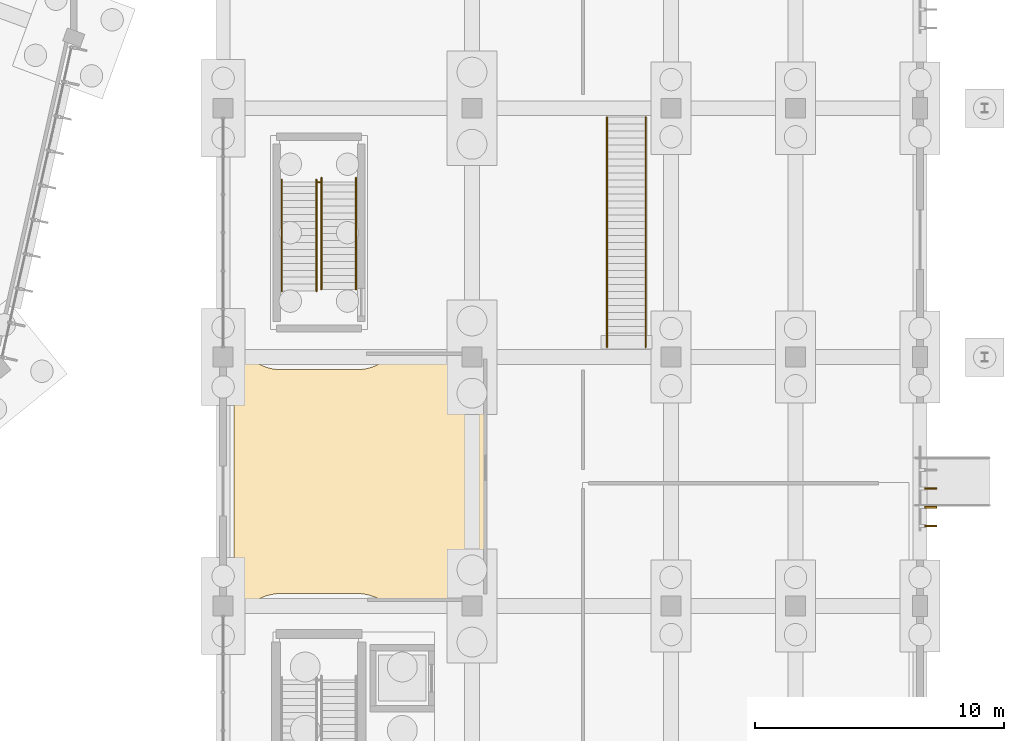
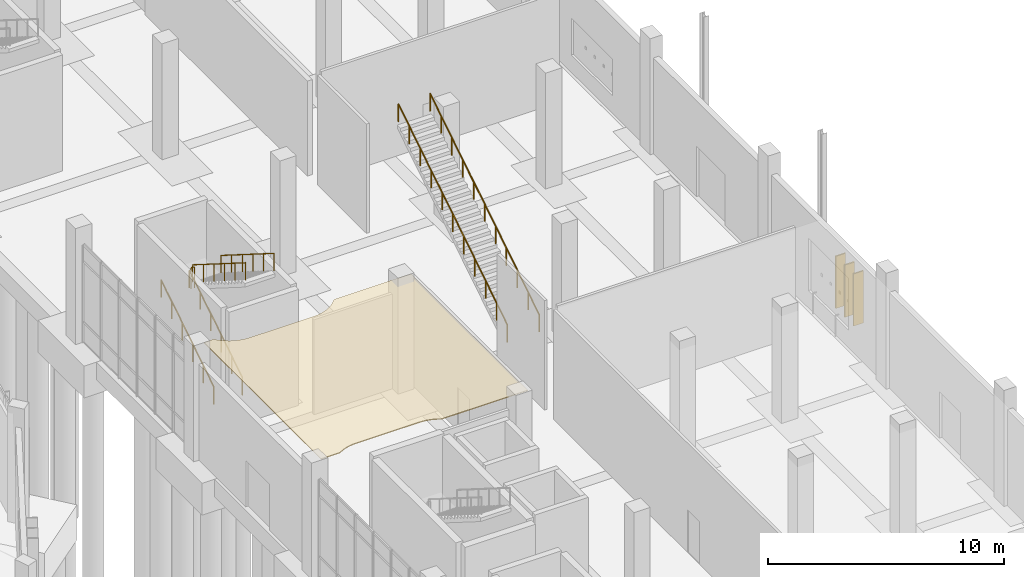
# One storey, part 129 of 140: 7 railings, 3 shading devices, 1 covering.
"""IFC4 building model written with IfcOpenShell, lengths in metres."""

from ifc_helpers import new_model, si_unit, direction, frame, origin, origin_2d, place, context, subcontext, project, spatial, polyline, rectangle, circle, outline, extrude, material, layer, layer_set, type_object, element, save


model = new_model("IFC4")

# Units and contexts
model_context = context("Model", 3, precision=1e-05, world=origin(), true_north=direction((0.0, 1.0)))
body_context = subcontext(model_context, "Body", "Model", "MODEL_VIEW")
ifc_project = project(units=[si_unit("LENGTHUNIT", "METRE"), si_unit("AREAUNIT", "SQUARE_METRE"), si_unit("VOLUMEUNIT", "CUBIC_METRE"), si_unit("PLANEANGLEUNIT", "RADIAN"), si_unit("MASSUNIT", "GRAM", prefix="KILO")], contexts=[model_context])

# Site, building, storey
site_placement = place(None, origin())
site = spatial("IfcSite", under=ifc_project, at=site_placement, CompositionType="ELEMENT")
building_placement = place(site_placement, origin())
building = spatial("IfcBuilding", under=site, at=building_placement, Name="Corvandel Quay Wholesale Market", CompositionType="ELEMENT")
storey_placement = place(building_placement, origin())
storey = spatial("IfcBuildingStorey", under=building, at=storey_placement, Name="L00", CompositionType="ELEMENT", Elevation=0.0)

# Covering
ifc_material_1 = material(Name="Perforated powder-coated aluminium acoustic panel", Category="aluminium")
ifc_layer_1 = layer(ifc_material_1, 0.044921875)
ifc_layer_set_1 = layer_set([ifc_layer_1], Name="Perforated powder-coated aluminium acoustic panel")
covering_type = type_object("IfcCoveringType", Name="Perforated Acoustic Baffle Ceiling CLG01", PredefinedType="CEILING", material=ifc_layer_set_1)
covering_placement = place(storey_placement, frame((0.0, 0.0, 5.510009765625)))
element("IfcCovering", 1, at=covering_placement, inside=storey, type_object=covering_type, Name="Suspended Ceiling CLG-026", PredefinedType="CEILING", context=body_context, shape_type="SweptSolid", body=[
    extrude(outline(polyline([(220.4580078125, 30.239990234375), (220.4560546875, 30.239990234375), (220.4541015625, 30.240966796875), (220.451904296875, 30.241943359375), (220.450927734375, 30.241943359375), (220.448974609375, 30.242919921875), (220.447021484375, 30.2451171875), (220.446044921875, 30.24609375), (220.445068359375, 30.2470703125), (220.443115234375, 30.2490234375), (220.44189453125, 30.2509765625), (220.44189453125, 30.251953125), (220.44091796875, 30.25390625), (220.43994140625, 30.256103515625), (220.43994140625, 30.258056640625), (220.43994140625, 30.260009765625), (220.43994140625, 40.139892578125), (220.43994140625, 40.14208984375), (220.43994140625, 40.14404296875), (220.44091796875, 40.14599609375), (220.44189453125, 40.14794921875), (220.44189453125, 40.14892578125), (220.443115234375, 40.15087890625), (220.445068359375, 40.153076171875), (220.446044921875, 40.154052734375), (220.447021484375, 40.155029296875), (220.448974609375, 40.156982421875), (220.450927734375, 40.157958984375), (220.451904296875, 40.157958984375), (220.4541015625, 40.158935546875), (220.4560546875, 40.159912109375), (220.4580078125, 40.159912109375), (220.4599609375, 40.159912109375), (220.906982421875, 40.159912109375), (220.908935546875, 40.157958984375), (221.027099609375, 40.027099609375), (221.157958984375, 39.908935546875), (221.300048828125, 39.802978515625), (221.450927734375, 39.712890625), (221.611083984375, 39.636962890625), (221.777099609375, 39.577880859375), (221.948974609375, 39.534912109375), (222.1240234375, 39.509033203125), (222.300048828125, 39.5), (225.39990234375, 39.5), (225.575927734375, 39.509033203125), (225.7509765625, 39.534912109375), (225.923095703125, 39.577880859375), (226.089111328125, 39.636962890625), (226.2490234375, 39.712890625), (226.39990234375, 39.802978515625), (226.5419921875, 39.908935546875), (226.673095703125, 40.027099609375), (226.791015625, 40.157958984375), (226.79296875, 40.159912109375), (230.5400390625, 40.159912109375), (230.5419921875, 40.159912109375), (230.5439453125, 40.159912109375), (230.5458984375, 40.158935546875), (230.548095703125, 40.157958984375), (230.549072265625, 40.157958984375), (230.551025390625, 40.156982421875), (230.552978515625, 40.155029296875), (230.553955078125, 40.154052734375), (230.554931640625, 40.153076171875), (230.556884765625, 40.15087890625), (230.55810546875, 40.14892578125), (230.55810546875, 40.14794921875), (230.55908203125, 40.14599609375), (230.56005859375, 40.14404296875), (230.56005859375, 40.14208984375), (230.56005859375, 40.139892578125), (230.56005859375, 30.260009765625), (230.56005859375, 30.258056640625), (230.56005859375, 30.256103515625), (230.55908203125, 30.25390625), (230.55810546875, 30.251953125), (230.55810546875, 30.2509765625), (230.556884765625, 30.2490234375), (230.554931640625, 30.2470703125), (230.553955078125, 30.24609375), (230.552978515625, 30.2451171875), (230.551025390625, 30.242919921875), (230.549072265625, 30.241943359375), (230.548095703125, 30.241943359375), (230.5458984375, 30.240966796875), (230.5439453125, 30.239990234375), (230.5419921875, 30.239990234375), (230.5400390625, 30.239990234375), (226.327880859375, 30.239990234375), (226.2490234375, 30.287109375), (226.089111328125, 30.363037109375), (225.923095703125, 30.422119140625), (225.7509765625, 30.465087890625), (225.575927734375, 30.490966796875), (225.39990234375, 30.5), (222.300048828125, 30.5), (222.1240234375, 30.490966796875), (221.948974609375, 30.465087890625), (221.777099609375, 30.422119140625), (221.611083984375, 30.363037109375), (221.450927734375, 30.287109375), (221.3720703125, 30.239990234375), (220.4599609375, 30.239990234375), (220.4580078125, 30.239990234375)])), origin(), (0.0, 0.0, 1.0), 0.044921875),
])

# Railings
ifc_material_2 = material(Name="Painted galvanised tubular steel", Category="steel")
ifc_layer_2 = layer(ifc_material_2, 0.054931640625)
ifc_layer_set_2 = layer_set([ifc_layer_2], Name="Painted galvanised tubular steel")
railing_type_1 = type_object("IfcRailingType", Name="Stairwell Inner Guard Railing GR02 1100mm", PredefinedType="GUARDRAIL", material=ifc_layer_set_2)
railing_placement = place(storey_placement, frame((223.77001953125, 47.030029296875, 3.0)))
element("IfcRailing", 2, at=railing_placement, inside=storey, type_object=railing_type_1, Name="Stair Landing Well Guard 0162", PredefinedType="GUARDRAIL", context=body_context, shape_type="SweptSolid", body=[
    extrude(circle(Radius=0.02392578125, at=origin_2d()), frame((0.0, 0.0, 1.076171875), z_axis=(1.0, 0.0, 0.0), x_axis=(0.0, 1.0, 0.0)), (0.0, 0.0, 1.0), 0.159912109375),
    extrude(circle(Radius=0.02099609375, at=origin_2d()), origin(), (0.0, 0.0, 1.0), 1.052001953125),
    extrude(circle(Radius=0.02099609375, at=origin_2d()), frame((0.159912109375, 0.0, 0.0)), (0.0, 0.0, 1.0), 1.052001953125),
])
ifc_material_3 = material(Name="Brushed austenitic stainless steel Grade 316", Category="steel")
ifc_layer_3 = layer(ifc_material_3, 0.048095703125)
ifc_layer_set_3 = layer_set([ifc_layer_3], Name="Brushed austenitic stainless steel Grade 316")
railing_type_2 = type_object("IfcRailingType", Name="Tubular Stainless Stair Handrail HR01 915mm", PredefinedType="HANDRAIL", material=ifc_layer_set_3)
for number, where, name in (
    (3, (222.360107421875, 42.64990234375, 0.176513671875), "Stair Handrail 0158"),
    (4, (223.75, 42.64990234375, 0.176513671875), "Stair Handrail 0159"),
):
    element("IfcRailing", number, at=place(storey_placement, frame(where)), inside=storey, type_object=railing_type_2, Name=name, PredefinedType="HANDRAIL", context=body_context, shape_type="SweptSolid", body=[
        extrude(circle(Radius=0.02392578125, at=origin_2d()), frame((0.0, 0.0, 0.89111328125), z_axis=(0.0, 0.845997938375, 0.533186166611), x_axis=(-1.0, 0.0, 0.0)), (0.0, 0.0, 1.0), 5.29541015625),
        extrude(circle(Radius=0.02099609375, at=origin_2d()), origin(), (0.0, 0.0, 1.0), 0.866943359375),
        extrude(circle(Radius=0.02099609375, at=origin_2d()), frame((0.0, 0.89599609375, 0.564697265625)), (0.0, 0.0, 1.0), 0.866943359375),
        extrude(circle(Radius=0.02099609375, at=origin_2d()), frame((0.0, 1.7919921875, 1.12939453125)), (0.0, 0.0, 1.0), 0.866943359375),
        extrude(circle(Radius=0.02099609375, at=origin_2d()), frame((0.0, 2.68798828125, 1.694091796875)), (0.0, 0.0, 1.0), 0.866943359375),
        extrude(circle(Radius=0.02099609375, at=origin_2d()), frame((0.0, 3.583984375, 2.2587890625)), (0.0, 0.0, 1.0), 0.866943359375),
        extrude(circle(Radius=0.02099609375, at=origin_2d()), frame((0.0, 4.47998046875, 2.823486328125)), (0.0, 0.0, 1.0), 0.866943359375),
    ])
for number, where, name in (
    (5, (223.949951171875, 47.199951171875, 3.176513671875), "Stair Handrail 0160"),
    (6, (225.340087890625, 47.199951171875, 3.176513671875), "Stair Handrail 0161"),
):
    element("IfcRailing", number, at=place(storey_placement, frame(where)), inside=storey, type_object=railing_type_2, Name=name, PredefinedType="HANDRAIL", context=body_context, shape_type="SweptSolid", body=[
        extrude(circle(Radius=0.02392578125, at=origin_2d()), frame((0.0, 0.0, 0.89111328125), z_axis=(0.0, -0.845997938375, 0.533186166611), x_axis=(1.0, 0.0, 0.0)), (0.0, 0.0, 1.0), 5.29541015625),
        extrude(circle(Radius=0.02099609375, at=origin_2d()), origin(), (0.0, 0.0, 1.0), 0.866943359375),
        extrude(circle(Radius=0.02099609375, at=origin_2d()), frame((0.0, -0.89599609375, 0.564697265625)), (0.0, 0.0, 1.0), 0.866943359375),
        extrude(circle(Radius=0.02099609375, at=origin_2d()), frame((0.0, -1.7919921875, 1.12939453125)), (0.0, 0.0, 1.0), 0.866943359375),
        extrude(circle(Radius=0.02099609375, at=origin_2d()), frame((0.0, -2.68798828125, 1.694091796875)), (0.0, 0.0, 1.0), 0.866943359375),
        extrude(circle(Radius=0.02099609375, at=origin_2d()), frame((0.0, -3.583984375, 2.2587890625)), (0.0, 0.0, 1.0), 0.866943359375),
        extrude(circle(Radius=0.02099609375, at=origin_2d()), frame((0.0, -4.47998046875, 2.823486328125)), (0.0, 0.0, 1.0), 0.866943359375),
    ])
for number, where, name in (
    (7, (235.425048828125, 40.39990234375, 0.176513671875), "Feature Stair Handrail 0246"),
    (8, (236.97509765625, 40.39990234375, 0.176513671875), "Feature Stair Handrail 0247"),
):
    element("IfcRailing", number, at=place(storey_placement, frame(where)), inside=storey, type_object=railing_type_2, Name=name, PredefinedType="HANDRAIL", context=body_context, shape_type="SweptSolid", body=[
        extrude(circle(Radius=0.02392578125, at=origin_2d()), frame((0.0, 0.0, 0.89111328125), z_axis=(0.0, 0.845996842167, 0.533187905943), x_axis=(-1.0, 0.0, 0.0)), (0.0, 0.0, 1.0), 10.922119140625),
        extrude(circle(Radius=0.02099609375, at=origin_2d()), origin(), (0.0, 0.0, 1.0), 0.866943359375),
        extrude(circle(Radius=0.02099609375, at=origin_2d()), frame((0.0, 0.924072265625, 0.582275390625)), (0.0, 0.0, 1.0), 0.866943359375),
        extrude(circle(Radius=0.02099609375, at=origin_2d()), frame((0.0, 1.847900390625, 1.164794921875)), (0.0, 0.0, 1.0), 0.866943359375),
        extrude(circle(Radius=0.02099609375, at=origin_2d()), frame((0.0, 2.77197265625, 1.7470703125)), (0.0, 0.0, 1.0), 0.866943359375),
        extrude(circle(Radius=0.02099609375, at=origin_2d()), frame((0.0, 3.696044921875, 2.329345703125)), (0.0, 0.0, 1.0), 0.866943359375),
        extrude(circle(Radius=0.02099609375, at=origin_2d()), frame((0.0, 4.6201171875, 2.91162109375)), (0.0, 0.0, 1.0), 0.866943359375),
        extrude(circle(Radius=0.02099609375, at=origin_2d()), frame((0.0, 5.5439453125, 3.494140625)), (0.0, 0.0, 1.0), 0.866943359375),
        extrude(circle(Radius=0.02099609375, at=origin_2d()), frame((0.0, 6.468017578125, 4.076416015625)), (0.0, 0.0, 1.0), 0.866943359375),
        extrude(circle(Radius=0.02099609375, at=origin_2d()), frame((0.0, 7.39208984375, 4.65869140625)), (0.0, 0.0, 1.0), 0.866943359375),
        extrude(circle(Radius=0.02099609375, at=origin_2d()), frame((0.0, 8.31591796875, 5.2412109375)), (0.0, 0.0, 1.0), 0.866943359375),
        extrude(circle(Radius=0.02099609375, at=origin_2d()), frame((0.0, 9.239990234375, 5.823486328125)), (0.0, 0.0, 1.0), 0.866943359375),
    ])

# Shading devices
ifc_material_4 = material(Name="Bronze anodised extruded aluminium 6063-T6", Category="aluminium")
shading_device_type = type_object("IfcShadingDeviceType", Name="Vertical Anodised Bronze Solar Fin FN01 480mm", PredefinedType="JALOUSIE", material=ifc_material_4)
for number, where, z_axis, x_axis, name in (
    (9, (248.43994140625, 33.219970703125, 0.89990234375), (0.0, 0.0, 1.0), (1.0, 0.0, 0.0), "Solar Fin 0599"),
    (10, (248.43994140625, 33.969970703125, 0.89990234375), (0.0, 0.0, 1.0), (1.0, 0.0, 0.0), "Solar Fin 0600"),
    (11, (248.43994140625, 34.719970703125, 0.89990234375), (0.0, 0.0, 1.0), (1.0, 0.0, 0.0), "Solar Fin 0601"),
):
    element("IfcShadingDevice", number, at=place(storey_placement, frame(where, z_axis=z_axis, x_axis=x_axis)), inside=storey, type_object=shading_device_type, Name=name, PredefinedType="JALOUSIE", context=body_context, shape_type="SweptSolid", body=[
        extrude(rectangle(XDim=0.47998046875, YDim=0.06494140625, at=origin_2d()), origin(), (0.0, 0.0, 1.0), 2.699951171875),
    ])

save(model, "model.ifc")
